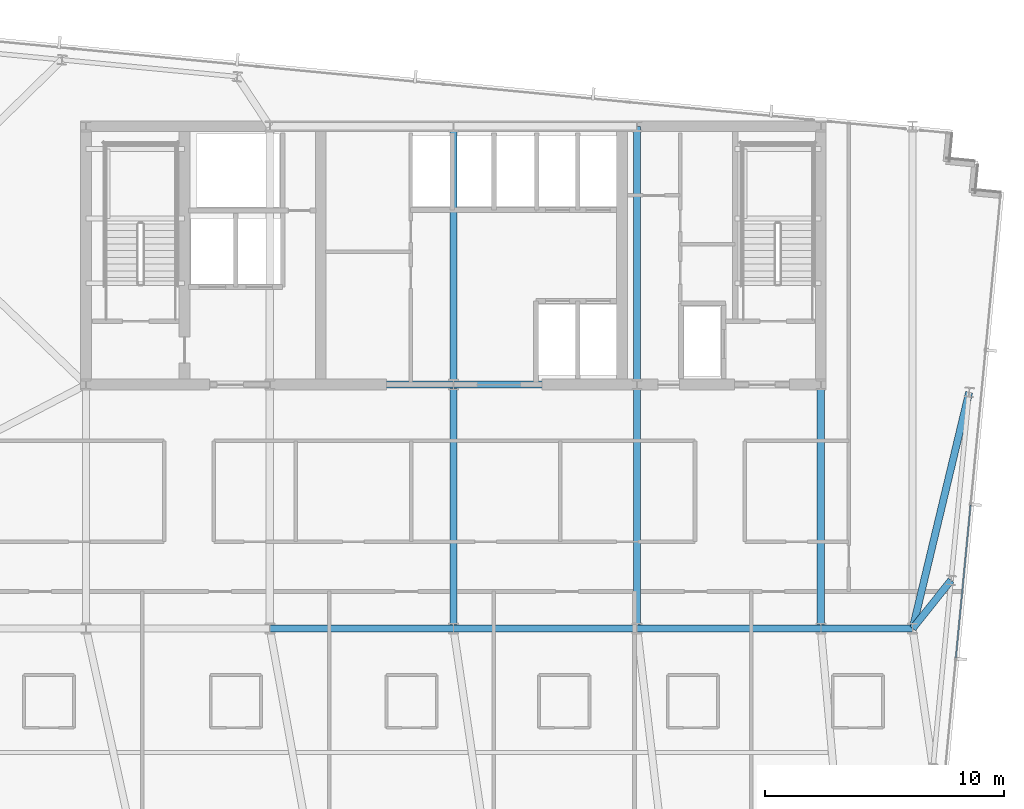
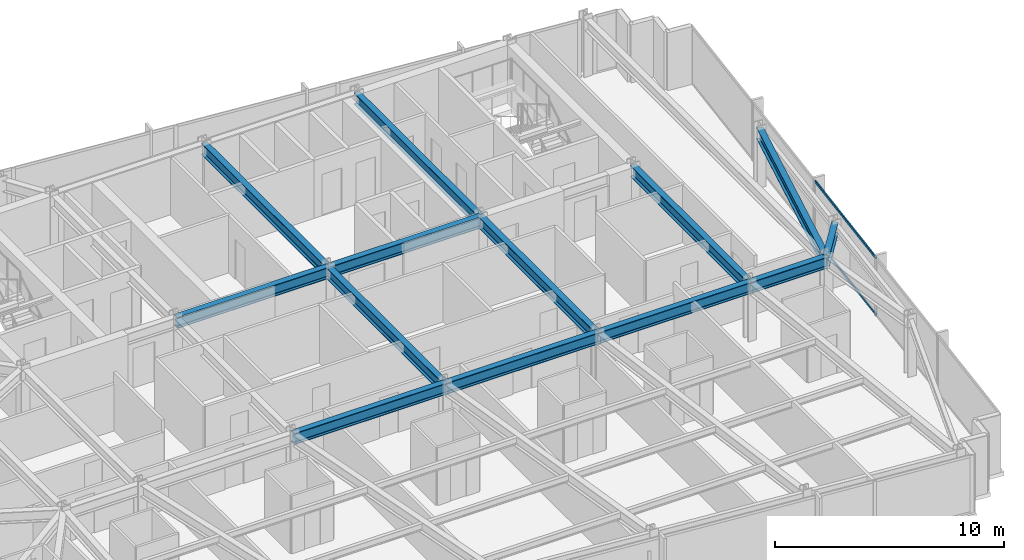
# One storey, part 17 of 37: 13 beams, 2 members, 1 element without a shape of its own.
"""IFC4 building model written with IfcOpenShell, lengths in metres."""

from ifc_helpers import new_model, si_unit, direction, frame, origin, origin_2d, place, context, subcontext, project, spatial, hollow_rectangle, i_section, extrude, material, material_profile, profile_set, type_object, element, aggregate, save


model = new_model("IFC4")

# Units and contexts
model_context = context("Model", 3, precision=1e-05, world=origin(), true_north=direction((0.0, 1.0)))
body_context = subcontext(model_context, "Body", "Model", "MODEL_VIEW")
ifc_project = project(units=[si_unit("LENGTHUNIT", "METRE"), si_unit("AREAUNIT", "SQUARE_METRE"), si_unit("VOLUMEUNIT", "CUBIC_METRE"), si_unit("PLANEANGLEUNIT", "RADIAN"), si_unit("MASSUNIT", "GRAM", prefix="KILO")], contexts=[model_context])

# Site, building, storey
site_placement = place(None, origin())
site = spatial("IfcSite", under=ifc_project, at=site_placement, CompositionType="ELEMENT")
building_placement = place(site_placement, origin())
building = spatial("IfcBuilding", under=site, at=building_placement, Name="Yelkora Congress Tower", CompositionType="ELEMENT")
storey_placement = place(building_placement, frame((0.0, 0.0, 175.39990234375)))
storey = spatial("IfcBuildingStorey", under=building, at=storey_placement, Name="L48", CompositionType="ELEMENT", Elevation=175.39990234375)

# Beams
ifc_material_1 = material(Name="Steel S355J2", Category="steel")
ifc_material_profile_1 = material_profile(ifc_material_1, i_section(OverallWidth=0.300048828125, OverallDepth=0.60009765625, WebThickness=0.015380859375, FlangeThickness=0.030029296875, FilletRadius=0.027099609375, at=origin_2d()), Name="HEB 600")
ifc_profile_set_1 = profile_set([ifc_material_profile_1], Name="Steel S355J2")
beam_type = type_object("IfcBeamType", Name="BM-GIRD-HEB600", PredefinedType="BEAM", material=ifc_profile_set_1)
beam_1_placement = place(storey_placement, frame((30.719970703125, 25.199951171875, 2.780029296875), z_axis=(1.0, 0.0, 0.0), x_axis=(0.0, 1.0, 0.0)))
element("IfcBeam", 1, at=beam_1_placement, inside=storey, type_object=beam_type, Name="L48 Spine Grid D Girder 3", PredefinedType="BEAM", context=body_context, shape_type="SweptSolid", body=[
    extrude(i_section(OverallWidth=0.300048828125, OverallDepth=0.60009765625, WebThickness=0.015380859375, FlangeThickness=0.030029296875, FilletRadius=0.027099609375, at=origin_2d()), origin(), (0.0, 0.0, 1.0), 7.679931640625),
])
beam_2_placement = place(storey_placement, frame((38.39990234375, 25.199951171875, 2.780029296875), z_axis=(1.0, 0.0, 0.0), x_axis=(0.0, 1.0, 0.0)))
element("IfcBeam", 2, at=beam_2_placement, inside=storey, type_object=beam_type, Name="L48 Spine Grid D Girder 4", PredefinedType="BEAM", context=body_context, shape_type="SweptSolid", body=[
    extrude(i_section(OverallWidth=0.300048828125, OverallDepth=0.60009765625, WebThickness=0.015380859375, FlangeThickness=0.030029296875, FilletRadius=0.027099609375, at=origin_2d()), origin(), (0.0, 0.0, 1.0), 7.68017578125),
])
beam_3_placement = place(storey_placement, frame((46.080078125, 25.199951171875, 2.780029296875), z_axis=(1.0, 0.0, 0.0), x_axis=(0.0, 1.0, 0.0)))
element("IfcBeam", 3, at=beam_3_placement, inside=storey, type_object=beam_type, Name="L48 Spine Grid D Girder 5", PredefinedType="BEAM", context=body_context, shape_type="SweptSolid", body=[
    extrude(i_section(OverallWidth=0.300048828125, OverallDepth=0.60009765625, WebThickness=0.015380859375, FlangeThickness=0.030029296875, FilletRadius=0.027099609375, at=origin_2d()), origin(), (0.0, 0.0, 1.0), 7.679931640625),
])
beam_4_placement = place(storey_placement, frame((53.760009765625, 25.199951171875, 2.780029296875), z_axis=(1.0, 0.0, 0.0), x_axis=(0.0, 1.0, 0.0)))
element("IfcBeam", 4, at=beam_4_placement, inside=storey, type_object=beam_type, Name="L48 Spine Grid D Girder 6", PredefinedType="BEAM", context=body_context, shape_type="SweptSolid", body=[
    extrude(i_section(OverallWidth=0.300048828125, OverallDepth=0.60009765625, WebThickness=0.015380859375, FlangeThickness=0.030029296875, FilletRadius=0.027099609375, at=origin_2d()), origin(), (0.0, 0.0, 1.0), 3.840087890625),
])
beam_5_placement = place(storey_placement, frame((30.719970703125, 35.39990234375, 2.780029296875), z_axis=(1.0, 0.0, 0.0), x_axis=(0.0, 1.0, 0.0)))
element("IfcBeam", 5, at=beam_5_placement, inside=storey, type_object=beam_type, Name="L48 Core South Girder 2", PredefinedType="BEAM", context=body_context, shape_type="SweptSolid", body=[
    extrude(i_section(OverallWidth=0.300048828125, OverallDepth=0.60009765625, WebThickness=0.015380859375, FlangeThickness=0.030029296875, FilletRadius=0.027099609375, at=origin_2d()), origin(), (0.0, 0.0, 1.0), 7.679931640625),
])
beam_6_placement = place(storey_placement, frame((38.39990234375, 35.39990234375, 2.780029296875), z_axis=(1.0, 0.0, 0.0), x_axis=(0.0, 1.0, 0.0)))
element("IfcBeam", 6, at=beam_6_placement, inside=storey, type_object=beam_type, Name="L48 Core South Girder 3", PredefinedType="BEAM", context=body_context, shape_type="SweptSolid", body=[
    extrude(i_section(OverallWidth=0.300048828125, OverallDepth=0.60009765625, WebThickness=0.015380859375, FlangeThickness=0.030029296875, FilletRadius=0.027099609375, at=origin_2d()), origin(), (0.0, 0.0, 1.0), 7.68017578125),
])
beam_7_placement = place(storey_placement, frame((38.39990234375, 25.199951171875, 2.780029296875), z_axis=(0.0, 1.0, 0.0), x_axis=(-1.0, 0.0, 0.0)))
element("IfcBeam", 7, at=beam_7_placement, inside=storey, type_object=beam_type, Name="L48 Core Tie Girder MC-D3", PredefinedType="BEAM", context=body_context, shape_type="SweptSolid", body=[
    extrude(i_section(OverallWidth=0.300048828125, OverallDepth=0.60009765625, WebThickness=0.015380859375, FlangeThickness=0.030029296875, FilletRadius=0.027099609375, at=origin_2d()), origin(), (0.0, 0.0, 1.0), 10.199951171875),
])
beam_8_placement = place(storey_placement, frame((38.39990234375, 35.39990234375, 2.780029296875), z_axis=(0.0, 1.0, 0.0), x_axis=(-1.0, 0.0, 0.0)))
element("IfcBeam", 8, at=beam_8_placement, inside=storey, type_object=beam_type, Name="L48 Core Tie Girder MC-S3", PredefinedType="BEAM", context=body_context, shape_type="SweptSolid", body=[
    extrude(i_section(OverallWidth=0.300048828125, OverallDepth=0.60009765625, WebThickness=0.015380859375, FlangeThickness=0.030029296875, FilletRadius=0.027099609375, at=origin_2d()), origin(), (0.0, 0.0, 1.0), 10.800048828125),
])
beam_9_placement = place(storey_placement, frame((46.080078125, 25.199951171875, 2.780029296875), z_axis=(0.0, 1.0, 0.0), x_axis=(-1.0, 0.0, 0.0)))
element("IfcBeam", 9, at=beam_9_placement, inside=storey, type_object=beam_type, Name="L48 Core Tie Girder MC-D4", PredefinedType="BEAM", context=body_context, shape_type="SweptSolid", body=[
    extrude(i_section(OverallWidth=0.300048828125, OverallDepth=0.60009765625, WebThickness=0.015380859375, FlangeThickness=0.030029296875, FilletRadius=0.027099609375, at=origin_2d()), origin(), (0.0, 0.0, 1.0), 10.199951171875),
])
beam_10_placement = place(storey_placement, frame((46.080078125, 35.39990234375, 2.780029296875), z_axis=(0.0, 1.0, 0.0), x_axis=(-1.0, 0.0, 0.0)))
element("IfcBeam", 10, at=beam_10_placement, inside=storey, type_object=beam_type, Name="L48 Core Tie Girder MC-S4", PredefinedType="BEAM", context=body_context, shape_type="SweptSolid", body=[
    extrude(i_section(OverallWidth=0.300048828125, OverallDepth=0.60009765625, WebThickness=0.015380859375, FlangeThickness=0.030029296875, FilletRadius=0.027099609375, at=origin_2d()), origin(), (0.0, 0.0, 1.0), 10.800048828125),
])
beam_11_placement = place(storey_placement, frame((53.760009765625, 25.199951171875, 2.780029296875), z_axis=(0.0, 1.0, 0.0), x_axis=(-1.0, 0.0, 0.0)))
element("IfcBeam", 11, at=beam_11_placement, inside=storey, type_object=beam_type, Name="L48 Core Tie Girder MC-D5", PredefinedType="BEAM", context=body_context, shape_type="SweptSolid", body=[
    extrude(i_section(OverallWidth=0.300048828125, OverallDepth=0.60009765625, WebThickness=0.015380859375, FlangeThickness=0.030029296875, FilletRadius=0.027099609375, at=origin_2d()), origin(), (0.0, 0.0, 1.0), 10.199951171875),
])
beam_12_placement = place(storey_placement, frame((59.206298828125, 27.217529296875, 2.780029296875), z_axis=(-0.622834511353, -0.782353610248, 0.0), x_axis=(0.782353610248, -0.622834511353, 0.0)))
element("IfcBeam", 12, at=beam_12_placement, inside=storey, type_object=beam_type, Name="L48 Primary Frame Girder E02", PredefinedType="BEAM", context=body_context, shape_type="SweptSolid", body=[
    extrude(i_section(OverallWidth=0.300048828125, OverallDepth=0.60009765625, WebThickness=0.015380859375, FlangeThickness=0.030029296875, FilletRadius=0.027099609375, at=origin_2d()), origin(), (0.0, 0.0, 1.0), 2.578857421875),
])
beam_13_placement = place(storey_placement, frame((59.96337890625, 35.0810546875, 2.780029296875), z_axis=(-0.23261126158, -0.972569792347, 0.0), x_axis=(0.972569792347, -0.23261126158, 0.0)))
element("IfcBeam", 13, at=beam_13_placement, inside=storey, type_object=beam_type, Name="L48 Primary Frame Girder E03", PredefinedType="BEAM", context=body_context, shape_type="SweptSolid", body=[
    extrude(i_section(OverallWidth=0.300048828125, OverallDepth=0.60009765625, WebThickness=0.015380859375, FlangeThickness=0.030029296875, FilletRadius=0.027099609375, at=origin_2d()), origin(), (0.0, 0.0, 1.0), 10.15966796875),
])

# Curtain wall, members
ifc_material_2 = material(Name="Anodised aluminium and insulated glass", Category="aluminium")
curtain_wall_type = type_object("IfcCurtainWallType", Name="CW-SYS-B3", PredefinedType="NOTDEFINED", material=ifc_material_2)
curtain_wall_placement = place(storey_placement, origin())
curtain_wall = element("IfcCurtainWall", 14, at=curtain_wall_placement, inside=storey, type_object=curtain_wall_type, Name="L48 Unitised Curtain Wall 15", PredefinedType="NOTDEFINED")
ifc_material_3 = material(Name="Anodised aluminium 6063-T6", Category="aluminium")
ifc_material_profile_2 = material_profile(ifc_material_3, hollow_rectangle(XDim=0.06005859375, YDim=0.1298828125, WallThickness=0.00390625, at=origin_2d()), Name="ALU 60x130x4")
ifc_profile_set_2 = profile_set([ifc_material_profile_2], Name="Anodised aluminium 6063-T6")
member_type = type_object("IfcMemberType", Name="MEM-TR-B3", PredefinedType="USERDEFINED", material=ifc_profile_set_2)
member_1_placement = place(storey_placement, frame((60.021484375, 30.36083984375, 0.030029296875), z_axis=(-0.095843682057, -0.995396397728, 0.0), x_axis=(0.995396397728, -0.095843682057, 0.0)))
member_1 = element("IfcMember", 15, at=member_1_placement, type_object=member_type, Name="CW-B3 transom 3.1", ObjectType="TRANSOM", PredefinedType="USERDEFINED", context=body_context, shape_type="SweptSolid", body=[
    extrude(hollow_rectangle(XDim=0.06005859375, YDim=0.1298828125, WallThickness=0.00390625, at=origin_2d()), origin(), (0.0, 0.0, 1.0), 6.4140625),
])
member_2_placement = place(storey_placement, frame((60.021484375, 30.36083984375, 3.050048828125), z_axis=(-0.095843682057, -0.995396397728, 0.0), x_axis=(0.995396397728, -0.095843682057, 0.0)))
member_2 = element("IfcMember", 16, at=member_2_placement, type_object=member_type, Name="CW-B3 transom 3.2", ObjectType="TRANSOM", PredefinedType="USERDEFINED", context=body_context, shape_type="SweptSolid", body=[
    extrude(hollow_rectangle(XDim=0.06005859375, YDim=0.1298828125, WallThickness=0.00390625, at=origin_2d()), origin(), (0.0, 0.0, 1.0), 6.4140625),
])
aggregate(curtain_wall, [member_1, member_2])

save(model, "model.ifc")
